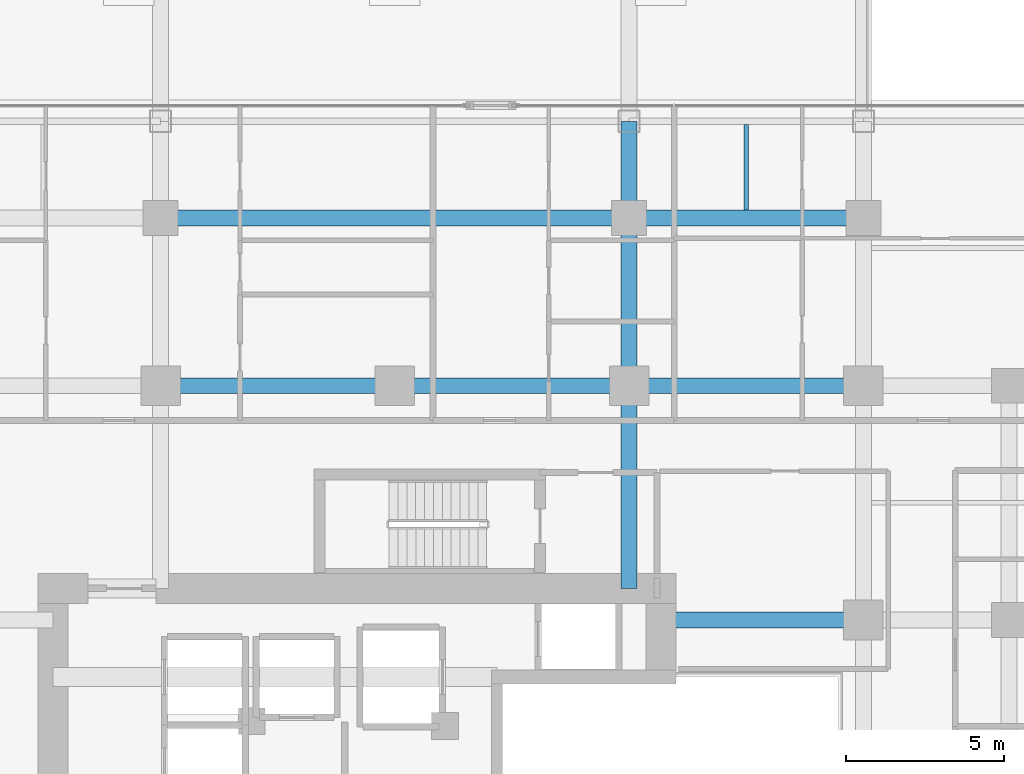
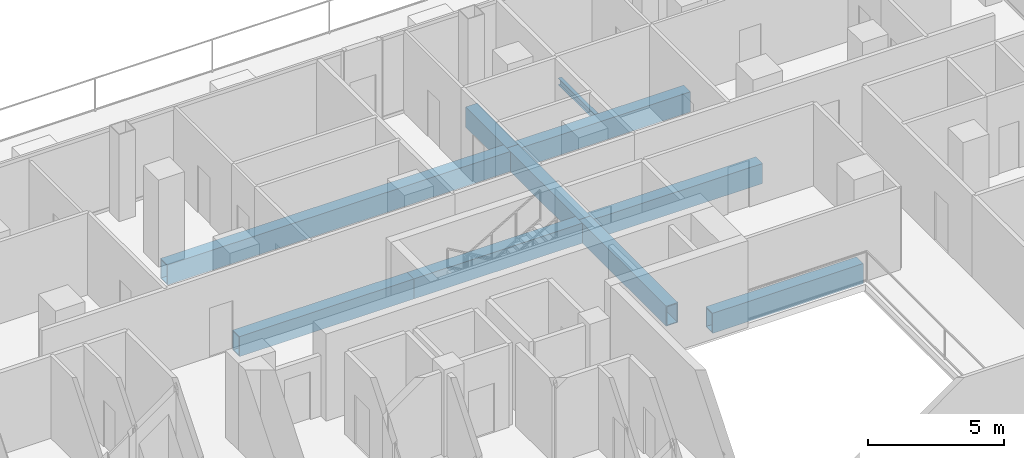
# One storey, part 13 of 29: 10 beams.
"""IFC4 building model written with IfcOpenShell, lengths in metres."""

from ifc_helpers import new_model, si_unit, direction, frame, origin, origin_2d, place, context, subcontext, project, spatial, hollow_rectangle, i_section, extrude, material, material_profile, profile_set, type_object, element, save


model = new_model("IFC4")

# Units and contexts
model_context = context("Model", 3, precision=1e-05, world=origin(), true_north=direction((0.0, 1.0)))
body_context = subcontext(model_context, "Body", "Model", "MODEL_VIEW")
ifc_project = project(units=[si_unit("LENGTHUNIT", "METRE"), si_unit("AREAUNIT", "SQUARE_METRE"), si_unit("VOLUMEUNIT", "CUBIC_METRE"), si_unit("PLANEANGLEUNIT", "RADIAN"), si_unit("MASSUNIT", "GRAM", prefix="KILO")], contexts=[model_context])

# Site, building, storey
site_placement = place(None, origin())
site = spatial("IfcSite", under=ifc_project, at=site_placement, CompositionType="ELEMENT")
building_placement = place(site_placement, origin())
building = spatial("IfcBuilding", under=site, at=building_placement, Name="Khorvyn Point Tower", CompositionType="ELEMENT")
storey_placement = place(building_placement, frame((0.0, 0.0, 136.800048828125)))
storey = spatial("IfcBuildingStorey", under=building, at=storey_placement, Name="L34", CompositionType="ELEMENT", Elevation=136.800048828125)

# Beams
ifc_material_1 = material(Name="Steel S355", Category="steel")
ifc_material_profile_1 = material_profile(ifc_material_1, i_section(OverallWidth=0.14990234375, OverallDepth=0.300048828125, WebThickness=0.006591796875, FlangeThickness=0.009033203125, at=origin_2d()))
ifc_profile_set_1 = profile_set([ifc_material_profile_1], Name="Steel S355 H300x150x6.5x9")
beam_type_1 = type_object("IfcBeamType", Name="Steel S355 Joist H300x150x6.5x9", PredefinedType="JOIST", material=ifc_profile_set_1)
beam_1_placement = place(storey_placement, frame((11.10009765625, 20.35009765625, -0.429931640625), z_axis=(0.0, 1.0, 0.0), x_axis=(-1.0, 0.0, 0.0)))
element("IfcBeam", 1, at=beam_1_placement, inside=storey, type_object=beam_type_1, Name="Beam", PredefinedType="JOIST", context=body_context, shape_type="SweptSolid", body=[
    extrude(i_section(OverallWidth=0.14990234375, OverallDepth=0.300048828125, WebThickness=0.006591796875, FlangeThickness=0.009033203125, at=origin_2d()), origin(), (0.0, 0.0, 1.0), 2.699951171875),
])
ifc_material_2 = material(Name="Steel S450", Category="steel")
ifc_material_profile_2 = material_profile(ifc_material_2, hollow_rectangle(XDim=0.5, YDim=0.89990234375, WallThickness=0.0400390625, at=origin_2d()))
ifc_profile_set_2 = profile_set([ifc_material_profile_2], Name="Steel S450 BOX900x500x40")
beam_type_2 = type_object("IfcBeamType", Name="Steel S450 Beam BOX900x500x40", PredefinedType="BEAM", material=ifc_profile_set_2)
for number, where, z_axis, x_axis, name in (
    (2, (-7.39990234375, 14.800048828125, -0.72998046875), (1.0, 0.0, 0.0), (0.0, 1.0, 0.0), "L34 Radial Transfer Girder"),
    (3, (0.0, 14.800048828125, -0.72998046875), (1.0, 0.0, 0.0), (0.0, 1.0, 0.0), "L34 Radial Transfer Girder"),
):
    element("IfcBeam", number, at=place(storey_placement, frame(where, z_axis=z_axis, x_axis=x_axis)), inside=storey, type_object=beam_type_2, Name=name, PredefinedType="BEAM", context=body_context, shape_type="SweptSolid", body=[
        extrude(hollow_rectangle(XDim=0.5, YDim=0.89990234375, WallThickness=0.0400390625, at=origin_2d()), origin(), (0.0, 0.0, 1.0), 7.39990234375),
    ])
beam_2_placement = place(storey_placement, frame((7.39990234375, 14.800048828125, -0.72998046875), z_axis=(1.0, 0.0, 0.0), x_axis=(0.0, 1.0, 0.0)))
element("IfcBeam", 4, at=beam_2_placement, inside=storey, type_object=beam_type_2, Name="L34 Radial Transfer Girder", PredefinedType="BEAM", context=body_context, shape_type="SweptSolid", body=[
    extrude(hollow_rectangle(XDim=0.5, YDim=0.89990234375, WallThickness=0.0400390625, at=origin_2d()), origin(), (0.0, 0.0, 1.0), 7.400146484375),
])
beam_3_placement = place(storey_placement, frame((8.39990234375, 7.39990234375, -0.72998046875), z_axis=(1.0, 0.0, 0.0), x_axis=(0.0, 1.0, 0.0)))
element("IfcBeam", 5, at=beam_3_placement, inside=storey, type_object=beam_type_2, Name="Beam", PredefinedType="BEAM", context=body_context, shape_type="SweptSolid", body=[
    extrude(hollow_rectangle(XDim=0.5, YDim=0.89990234375, WallThickness=0.0400390625, at=origin_2d()), origin(), (0.0, 0.0, 1.0), 6.400146484375),
])
beam_4_placement = place(storey_placement, frame((-7.39990234375, 20.10009765625, -0.72998046875), z_axis=(1.0, 0.0, 0.0), x_axis=(0.0, 1.0, 0.0)))
element("IfcBeam", 6, at=beam_4_placement, inside=storey, type_object=beam_type_2, Name="Beam", PredefinedType="BEAM", context=body_context, shape_type="SweptSolid", body=[
    extrude(hollow_rectangle(XDim=0.5, YDim=0.89990234375, WallThickness=0.0400390625, at=origin_2d()), origin(), (0.0, 0.0, 1.0), 14.7998046875),
])
beam_5_placement = place(storey_placement, frame((7.39990234375, 20.10009765625, -0.72998046875), z_axis=(1.0, 0.0, 0.0), x_axis=(0.0, 1.0, 0.0)))
element("IfcBeam", 7, at=beam_5_placement, inside=storey, type_object=beam_type_2, Name="Beam", PredefinedType="BEAM", context=body_context, shape_type="SweptSolid", body=[
    extrude(hollow_rectangle(XDim=0.5, YDim=0.89990234375, WallThickness=0.0400390625, at=origin_2d()), origin(), (0.0, 0.0, 1.0), 7.400146484375),
])
beam_6_placement = place(storey_placement, frame((7.39990234375, 8.39990234375, -0.72998046875), z_axis=(0.0, 1.0, 0.0), x_axis=(-1.0, 0.0, 0.0)))
element("IfcBeam", 8, at=beam_6_placement, inside=storey, type_object=beam_type_2, Name="Beam", PredefinedType="BEAM", context=body_context, shape_type="SweptSolid", body=[
    extrude(hollow_rectangle(XDim=0.5, YDim=0.89990234375, WallThickness=0.0400390625, at=origin_2d()), origin(), (0.0, 0.0, 1.0), 6.400146484375),
])
beam_7_placement = place(storey_placement, frame((7.39990234375, 14.800048828125, -0.72998046875), z_axis=(0.0, 1.0, 0.0), x_axis=(-1.0, 0.0, 0.0)))
element("IfcBeam", 9, at=beam_7_placement, inside=storey, type_object=beam_type_2, Name="Beam", PredefinedType="BEAM", context=body_context, shape_type="SweptSolid", body=[
    extrude(hollow_rectangle(XDim=0.5, YDim=0.89990234375, WallThickness=0.0400390625, at=origin_2d()), origin(), (0.0, 0.0, 1.0), 5.300048828125),
])
beam_8_placement = place(storey_placement, frame((7.39990234375, 20.10009765625, -0.72998046875), z_axis=(0.0, 1.0, 0.0), x_axis=(-1.0, 0.0, 0.0)))
element("IfcBeam", 10, at=beam_8_placement, inside=storey, type_object=beam_type_2, Name="Beam", PredefinedType="BEAM", context=body_context, shape_type="SweptSolid", body=[
    extrude(hollow_rectangle(XDim=0.5, YDim=0.89990234375, WallThickness=0.0400390625, at=origin_2d()), origin(), (0.0, 0.0, 1.0), 3.0498046875),
])

save(model, "model.ifc")
